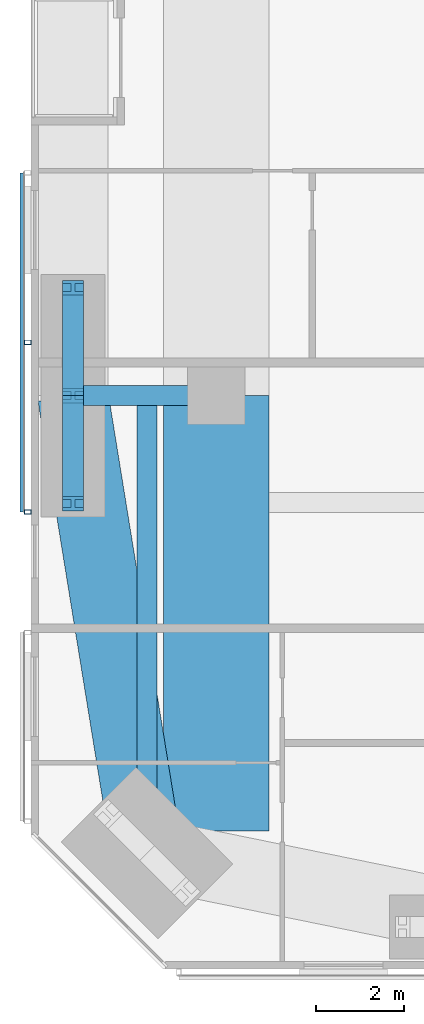
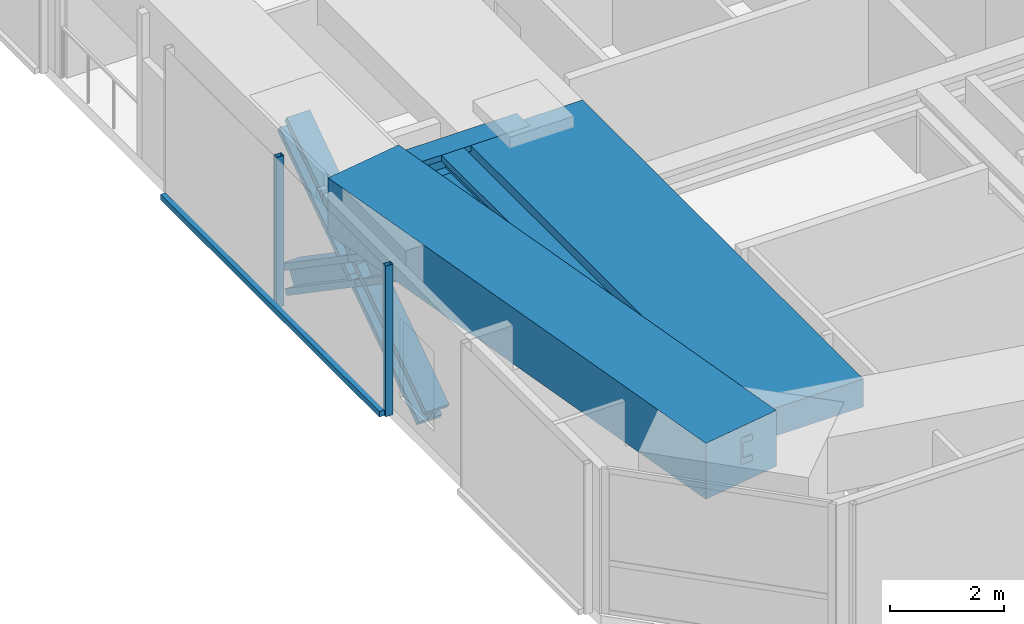
# One storey, part 3 of 25: 7 members, 4 beams, 1 element without a shape of its own.
"""IFC4 building model written with IfcOpenShell, lengths in metres."""

from ifc_helpers import new_model, si_unit, direction, frame, origin, origin_2d, place, context, subcontext, project, spatial, rectangle, hollow_rectangle, i_section, extrude, material, material_profile, profile_set, type_object, element, aggregate, save


model = new_model("IFC4")

# Units and contexts
model_context = context("Model", 3, precision=1e-05, world=origin(), true_north=direction((0.0, 1.0)))
body_context = subcontext(model_context, "Body", "Model", "MODEL_VIEW")
ifc_project = project(units=[si_unit("LENGTHUNIT", "METRE"), si_unit("AREAUNIT", "SQUARE_METRE"), si_unit("VOLUMEUNIT", "CUBIC_METRE"), si_unit("PLANEANGLEUNIT", "RADIAN"), si_unit("MASSUNIT", "GRAM", prefix="KILO")], contexts=[model_context])

# Site, building, storey
site_placement = place(None, origin())
site = spatial("IfcSite", under=ifc_project, at=site_placement, CompositionType="ELEMENT")
building_placement = place(site_placement, origin())
building = spatial("IfcBuilding", under=site, at=building_placement, Name="Jalousie Tower", CompositionType="ELEMENT")
storey_placement = place(building_placement, frame((0.0, 0.0, 98.14990234375)))
storey = spatial("IfcBuildingStorey", under=building, at=storey_placement, Name="L26", CompositionType="ELEMENT", Elevation=98.14990234375)

# Beams
ifc_material_1 = material(Name="Steel ASTM A992 Grade 50", Category="steel")
ifc_material_profile_1 = material_profile(ifc_material_1, i_section(OverallWidth=0.45458984375, OverallDepth=0.569091796875, WebThickness=0.077880859375, FlangeThickness=0.124755859375, at=origin_2d()), Name="W14X730")
ifc_profile_set_1 = profile_set([ifc_material_profile_1], Name="Steel ASTM A992 Grade 50")
beam_type_1 = type_object("IfcBeamType", Name="LEAN COLLECTOR W14X730", PredefinedType="BEAM", material=ifc_profile_set_1)
beam_1_placement = place(storey_placement, frame((6.949951171875, 13.0, 2.82568359375), z_axis=(1.0, 0.0, 0.0), x_axis=(0.0, 1.0, 0.0)))
element("IfcBeam", 1, at=beam_1_placement, inside=storey, type_object=beam_type_1, Name="Lean collector under L27", PredefinedType="BEAM", context=body_context, shape_type="SweptSolid", body=[
    extrude(i_section(OverallWidth=0.45458984375, OverallDepth=0.569091796875, WebThickness=0.077880859375, FlangeThickness=0.124755859375, at=origin_2d()), origin(), (0.0, 0.0, 1.0), 3.25),
])
beam_2_placement = place(storey_placement, frame((8.63134765625, 2.63134765625, 2.82568359375), z_axis=(0.0, 1.0, 0.0), x_axis=(-1.0, 0.0, 0.0)))
element("IfcBeam", 2, at=beam_2_placement, inside=storey, type_object=beam_type_1, Name="Lean collector under L27", PredefinedType="BEAM", context=body_context, shape_type="SweptSolid", body=[
    extrude(i_section(OverallWidth=0.45458984375, OverallDepth=0.569091796875, WebThickness=0.077880859375, FlangeThickness=0.124755859375, at=origin_2d()), origin(), (0.0, 0.0, 1.0), 10.36865234375),
])

# Members
ifc_material_2 = material(Name="Steel ASTM A992 Grade 50", Category="steel")
ifc_material_profile_2 = material_profile(ifc_material_2, i_section(OverallWidth=0.472412109375, OverallDepth=0.5791015625, WebThickness=0.094970703125, FlangeThickness=0.1298828125, at=origin_2d()), Name="W14X808")
ifc_profile_set_2 = profile_set([ifc_material_profile_2], Name="Steel ASTM A992 Grade 50")
member_type_1 = type_object("IfcMemberType", Name="PERIMETER BRACE W14X808", PredefinedType="BRACE", material=ifc_profile_set_2)
for number, where, z_axis, x_axis, name in (
    (3, (6.949951171875, 10.550048828125, -0.599853515625), (0.0, 0.825500916831, 0.564400776321), (-1.0, 0.0, 0.0), "Perimeter brace 14 L26 part 1"),
    (4, (6.949951171875, 13.0, 1.0751953125), (0.0, 0.825539243753, 0.564344714713), (-1.0, 0.0, 0.0), "Perimeter brace 14 L26 part 2"),
    (5, (6.949951171875, 15.449951171875, -0.599853515625), (0.0, -0.825500916831, 0.564400776321), (1.0, 0.0, 0.0), "Perimeter brace 14 L26 part 3"),
    (6, (6.949951171875, 13.0, 1.0751953125), (0.0, -0.825539243753, 0.564344714713), (1.0, 0.0, 0.0), "Perimeter brace 14 L26 part 4"),
):
    element("IfcMember", number, at=place(storey_placement, frame(where, z_axis=z_axis, x_axis=x_axis)), inside=storey, type_object=member_type_1, Name=name, PredefinedType="BRACE", context=body_context, shape_type="SweptSolid", body=[
        extrude(i_section(OverallWidth=0.472412109375, OverallDepth=0.5791015625, WebThickness=0.094970703125, FlangeThickness=0.1298828125, at=origin_2d()), origin(), (0.0, 0.0, 1.0), 2.9677734375),
    ])

# Beams
ifc_material_3 = material(Name="Concrete f'c 40 MPa", Category="concrete")
ifc_material_profile_3 = material_profile(ifc_material_3, rectangle(XDim=1.60009765625, YDim=1.199951171875, at=origin_2d()), Name="RC 1600x1200")
ifc_profile_set_3 = profile_set([ifc_material_profile_3], Name="Concrete f'c 40 MPa")
beam_type_2 = type_object("IfcBeamType", Name="RC BEAM 1600x1200", PredefinedType="BEAM", material=ifc_profile_set_3)
beam_3_placement = place(storey_placement, frame((6.949951171875, 13.0, 2.75), z_axis=(0.160070546476, -0.987105577003, 0.0), x_axis=(0.987105577003, 0.160070546476, 0.0)))
element("IfcBeam", 7, at=beam_3_placement, inside=storey, type_object=beam_type_2, Name="Edge band beam 14-01 under L27", PredefinedType="BEAM", context=body_context, shape_type="SweptSolid", body=[
    extrude(rectangle(XDim=1.60009765625, YDim=1.199951171875, at=origin_2d()), origin(), (0.0, 0.0, 1.0), 10.504150390625),
])
ifc_material_4 = material(Name="Concrete f'c 40 MPa", Category="concrete")
ifc_material_profile_4 = material_profile(ifc_material_4, rectangle(XDim=2.39990234375, YDim=0.60009765625, at=origin_2d()), Name="RC 2400x600")
ifc_profile_set_4 = profile_set([ifc_material_profile_4], Name="Concrete f'c 40 MPa")
beam_type_3 = type_object("IfcBeamType", Name="RC BEAM 2400x600", PredefinedType="BEAM", material=ifc_profile_set_4)
beam_4_placement = place(storey_placement, frame((10.199951171875, 13.0, 2.81005859375), z_axis=(0.0, -1.0, 0.0), x_axis=(1.0, 0.0, 0.0)))
element("IfcBeam", 8, at=beam_4_placement, inside=storey, type_object=beam_type_3, Name="Floor band beam under L27", PredefinedType="BEAM", context=body_context, shape_type="SweptSolid", body=[
    extrude(rectangle(XDim=2.39990234375, YDim=0.60009765625, at=origin_2d()), origin(), (0.0, 0.0, 1.0), 9.8720703125),
])

# Curtain wall, members
ifc_material_5 = material(Name="Perforated aluminium sheet", Category="aluminium")
curtain_wall_type = type_object("IfcCurtainWallType", Name="SOLAR SCREEN SS-1", PredefinedType="USERDEFINED", material=ifc_material_5)
curtain_wall_placement = place(storey_placement, origin())
curtain_wall = element("IfcCurtainWall", 9, at=curtain_wall_placement, inside=storey, type_object=curtain_wall_type, Name="Solar screen L26", ObjectType="SOLAR SCREEN SS-1", PredefinedType="USERDEFINED")
ifc_material_6 = material(Name="Steel ASTM A500 Grade C", Category="steel")
ifc_material_profile_5 = material_profile(ifc_material_6, hollow_rectangle(XDim=0.1015625, YDim=0.15234375, WallThickness=0.00634765625, at=origin_2d()), Name="HSS6X4X1/4")
ifc_profile_set_5 = profile_set([ifc_material_profile_5], Name="Steel ASTM A500 Grade C")
member_type_2 = type_object("IfcMemberType", Name="SOLAR SCREEN SS-1 MULLION", PredefinedType="MULLION", material=ifc_profile_set_5)
member_1_placement = place(storey_placement, frame((5.9287109375, 14.205810546875, -0.119873046875), z_axis=(0.0, 0.0, 1.0), x_axis=(0.0, -1.0, 0.0)))
member_1 = element("IfcMember", 10, at=member_1_placement, type_object=member_type_2, Name="SS1 post 2", PredefinedType="MULLION", context=body_context, shape_type="SweptSolid", body=[
    extrude(hollow_rectangle(XDim=0.1015625, YDim=0.15234375, WallThickness=0.00634765625, at=origin_2d()), origin(), (0.0, 0.0, 1.0), 3.22998046875),
])
member_2_placement = place(storey_placement, frame((5.9287109375, 10.36181640625, -0.119873046875), z_axis=(0.0, 0.0, 1.0), x_axis=(0.0, -1.0, 0.0)))
member_2 = element("IfcMember", 11, at=member_2_placement, type_object=member_type_2, Name="SS1 post 3", PredefinedType="MULLION", context=body_context, shape_type="SweptSolid", body=[
    extrude(hollow_rectangle(XDim=0.1015625, YDim=0.15234375, WallThickness=0.00634765625, at=origin_2d()), origin(), (0.0, 0.0, 1.0), 3.22998046875),
])
ifc_material_7 = material(Name="Extruded aluminium screen rail", Category="aluminium")
ifc_material_profile_6 = material_profile(ifc_material_7, rectangle(XDim=0.1015625, YDim=0.1201171875, at=origin_2d()), Name="RAIL 102x120")
ifc_profile_set_6 = profile_set([ifc_material_profile_6], Name="Extruded aluminium screen rail")
member_type_3 = type_object("IfcMemberType", Name="SOLAR SCREEN SS-1 TRANSOM", PredefinedType="USERDEFINED", material=ifc_profile_set_6)
member_3_placement = place(storey_placement, frame((5.8017578125, 18.050048828125, -0.059814453125), z_axis=(0.0, -1.0, 0.0), x_axis=(1.0, 0.0, 0.0)))
member_3 = element("IfcMember", 12, at=member_3_placement, type_object=member_type_3, Name="SS1 rail", ObjectType="TRANSOM", PredefinedType="USERDEFINED", context=body_context, shape_type="SweptSolid", body=[
    extrude(rectangle(XDim=0.1015625, YDim=0.1201171875, at=origin_2d()), origin(), (0.0, 0.0, 1.0), 7.688232421875),
])
aggregate(curtain_wall, [member_1, member_2, member_3])

save(model, "model.ifc")
